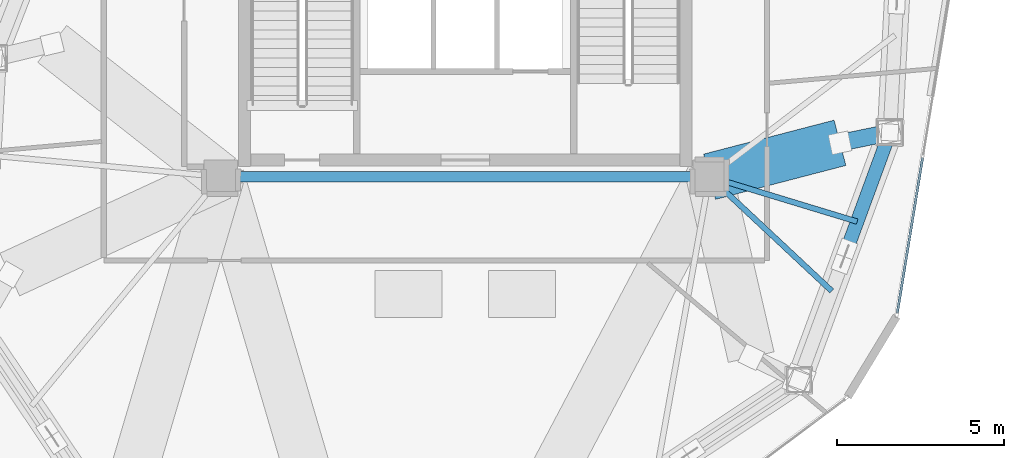
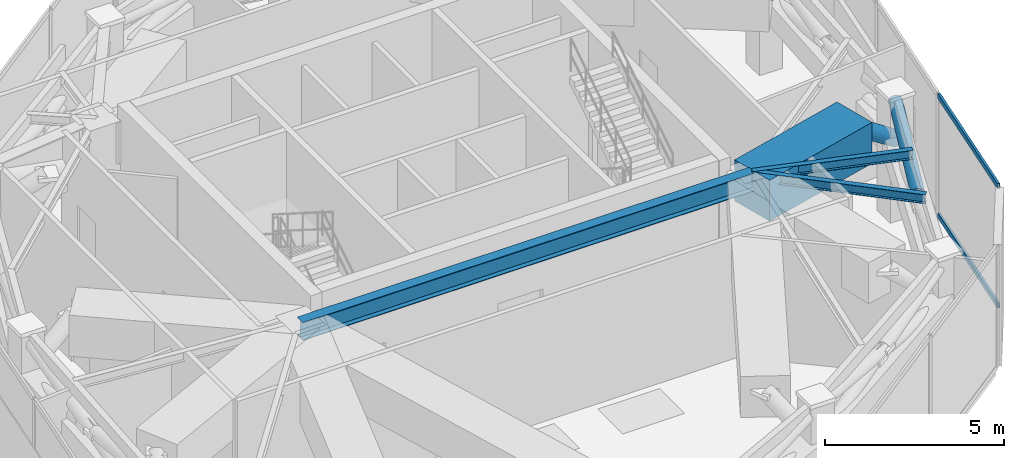
# One storey, part 8 of 19: 4 beams, 4 members, 1 element without a shape of its own.
"""IFC4 building model written with IfcOpenShell, lengths in metres."""

from ifc_helpers import new_model, si_unit, direction, frame, origin, origin_2d, place, context, subcontext, project, spatial, rectangle, hollow_rectangle, hollow_circle, i_section, extrude, source, transform, mapped, material, layer, layer_set, material_profile, profile_set, type_object, type_shapes, element, aggregate, save


model = new_model("IFC4")

# Units and contexts
model_context = context("Model", 3, precision=1e-05, world=origin(), true_north=direction((0.0, 1.0)))
body_context = subcontext(model_context, "Body", "Model", "MODEL_VIEW")
ifc_project = project(units=[si_unit("LENGTHUNIT", "METRE"), si_unit("AREAUNIT", "SQUARE_METRE"), si_unit("VOLUMEUNIT", "CUBIC_METRE"), si_unit("PLANEANGLEUNIT", "RADIAN"), si_unit("MASSUNIT", "GRAM", prefix="KILO")], contexts=[model_context])

# Site, building, storey
site_placement = place(None, origin())
site = spatial("IfcSite", under=ifc_project, at=site_placement, CompositionType="ELEMENT")
building_placement = place(site_placement, origin())
building = spatial("IfcBuilding", under=site, at=building_placement, Name="Talar Marvaseh", CompositionType="ELEMENT")
storey_placement = place(building_placement, frame((0.0, 0.0, 236.199951171875)))
storey = spatial("IfcBuildingStorey", under=building, at=storey_placement, Name="L62", CompositionType="ELEMENT", Elevation=236.199951171875)

# Beams
ifc_material_1 = material(Name="Concrete C70/85", Category="concrete")
ifc_material_profile_1 = material_profile(ifc_material_1, rectangle(XDim=1.39990234375, YDim=1.39990234375, at=origin_2d()), Name="RC1400x1400")
ifc_profile_set_1 = profile_set([ifc_material_profile_1], Name="Concrete C70/85")
beam_type_1 = type_object("IfcBeamType", Name="Setback Deep Concrete Transfer Girder RC1400x1400", PredefinedType="BEAM", material=ifc_profile_set_1)
beam_1_placement = place(storey_placement, frame((37.197021484375, 26.513916015625, 3.449951171875), z_axis=(-0.967779967746, -0.251797406719, 0.0), x_axis=(0.251797406719, -0.967779967746, 0.0)))
element("IfcBeam", 1, at=beam_1_placement, inside=storey, type_object=beam_type_1, Name="L62 Setback Backspan Transfer Girder 8", PredefinedType="BEAM", context=body_context, shape_type="SweptSolid", body=[
    extrude(rectangle(XDim=1.39990234375, YDim=1.39990234375, at=origin_2d()), origin(), (0.0, 0.0, 1.0), 4.026611328125),
])
ifc_material_2 = material(Name="Steel S355", Category="steel")
ifc_material_profile_2 = material_profile(ifc_material_2, i_section(OverallWidth=0.324951171875, OverallDepth=0.615966796875, WebThickness=0.013916015625, FlangeThickness=0.021484375, at=origin_2d()), Name="W610x174")
ifc_profile_set_2 = profile_set([ifc_material_profile_2], Name="Steel S355")
beam_type_2 = type_object("IfcBeamType", Name="Zone 3 Radial Floor Girder W610x174", PredefinedType="BEAM", material=ifc_profile_set_2)
beam_2_placement = place(storey_placement, frame((18.699951171875, 25.5, 3.842041015625), z_axis=(1.0, 0.0, 0.0), x_axis=(0.0, 1.0, 0.0)))
element("IfcBeam", 2, at=beam_2_placement, inside=storey, type_object=beam_type_2, Name="L62 Zone 3 Radial Floor Girder W610x174", PredefinedType="BEAM", context=body_context, shape_type="SweptSolid", body=[
    extrude(i_section(OverallWidth=0.324951171875, OverallDepth=0.615966796875, WebThickness=0.013916015625, FlangeThickness=0.021484375, at=origin_2d()), origin(), (0.0, 0.0, 1.0), 14.60009765625),
])
ifc_material_profile_3 = material_profile(ifc_material_2, i_section(OverallWidth=0.166015625, OverallDepth=0.31298828125, WebThickness=0.006591796875, FlangeThickness=0.01123046875, at=origin_2d()), Name="W310x45")
ifc_profile_set_3 = profile_set([ifc_material_profile_3], Name="Steel S355")
beam_type_3 = type_object("IfcBeamType", Name="Zone 3 Secondary Floor Joist W310x45", PredefinedType="JOIST", material=ifc_profile_set_3)
beam_3_placement = place(storey_placement, frame((37.71044921875, 24.15966796875, 3.99365234375), z_axis=(-0.956792465721, 0.290771693153, 0.0), x_axis=(-0.290771693153, -0.956792465721, 0.0)))
element("IfcBeam", 3, at=beam_3_placement, inside=storey, type_object=beam_type_3, Name="L62 Zone 3 Secondary Floor Joist W310x45", PredefinedType="JOIST", context=body_context, shape_type="SweptSolid", body=[
    extrude(i_section(OverallWidth=0.166015625, OverallDepth=0.31298828125, WebThickness=0.006591796875, FlangeThickness=0.01123046875, at=origin_2d()), origin(), (0.0, 0.0, 1.0), 4.609619140625),
])
beam_4_placement = place(storey_placement, frame((36.949462890625, 22.08740234375, 3.99365234375), z_axis=(-0.730408226886, 0.683010850643, 0.0), x_axis=(-0.683010850643, -0.730408226886, 0.0)))
element("IfcBeam", 4, at=beam_4_placement, inside=storey, type_object=beam_type_3, Name="L62 Zone 3 Secondary Floor Joist W310x45", PredefinedType="JOIST", context=body_context, shape_type="SweptSolid", body=[
    extrude(i_section(OverallWidth=0.166015625, OverallDepth=0.31298828125, WebThickness=0.006591796875, FlangeThickness=0.01123046875, at=origin_2d()), origin(), (0.0, 0.0, 1.0), 4.996337890625),
])

# Members
ifc_material_3 = material(Name="Steel S460", Category="steel")
ifc_material_profile_4 = material_profile(ifc_material_3, hollow_circle(Radius=0.25390625, WallThickness=0.02001953125, at=origin_2d()), Name="CHS508x20")
ifc_profile_set_4 = profile_set([ifc_material_profile_4], Name="Steel S460")
member_type_1 = type_object("IfcMemberType", Name="Crown Frame Diagonal Brace CHS508x20", PredefinedType="BRACE", material=ifc_profile_set_4)
shared_shape_1 = source(origin(), body_context, "Body", "SweptSolid", [
    extrude(hollow_circle(Radius=0.25390625, WallThickness=0.02001953125, at=origin_2d()), origin(), (0.0, 0.0, 1.0), 1.87939453125),
])
type_shapes(member_type_1, [shared_shape_1])
member_1_placement = place(storey_placement, frame((38.68896484375, 26.823974609375, 2.550048828125), z_axis=(-0.793828805763, -0.164975058635, 0.585336704102), x_axis=(0.203474381215, -0.979080270555, 0.0)))
element("IfcMember", 5, at=member_1_placement, inside=storey, type_object=member_type_1, Name="L62 Setback Transfer Raked Strut 8", PredefinedType="BRACE", context=body_context, shape_type="MappedRepresentation", body=[
    mapped(shared_shape_1, transform((0.0, 0.0, 0.0), x_axis=(1.0, 0.0, 0.0), y_axis=(0.0, 1.0, 0.0), z_axis=(0.0, 0.0, 1.0), scale=1.0)),
])
ifc_material_profile_5 = material_profile(ifc_material_3, hollow_circle(Radius=0.203125, WallThickness=0.01611328125, at=origin_2d()), Name="CHS406x16")
ifc_profile_set_5 = profile_set([ifc_material_profile_5], Name="Steel S460")
member_type_2 = type_object("IfcMemberType", Name="Belt Truss Diagonal Brace CHS406x16", PredefinedType="BRACE", material=ifc_profile_set_5)
shared_shape_2 = source(origin(), body_context, "Body", "SweptSolid", [
    extrude(hollow_circle(Radius=0.203125, WallThickness=0.01611328125, at=origin_2d()), origin(), (0.0, 0.0, 1.0), 3.75927734375),
])
type_shapes(member_type_2, [shared_shape_2])
member_2_placement = place(storey_placement, frame((37.41162109375, 23.345703125, 3.215576171875), z_axis=(0.339779207065, 0.925235925661, 0.16878558088), x_axis=(-0.938703702304, 0.344725048814, 0.0)))
element("IfcMember", 6, at=member_2_placement, inside=storey, type_object=member_type_2, Name="L62 Belt Truss Split Diagonal Upper 4", PredefinedType="BRACE", context=body_context, shape_type="MappedRepresentation", body=[
    mapped(shared_shape_2, transform((0.0, 0.0, 0.0), x_axis=(1.0, 0.0, 0.0), y_axis=(0.0, 1.0, 0.0), z_axis=(0.0, 0.0, 1.0), scale=1.0)),
])

# Curtain wall, members
ifc_material_4 = material(Name="Architectural Aluminium", Category="aluminium")
ifc_layer = layer(ifc_material_4, 0.18994140625)
ifc_layer_set = layer_set([ifc_layer], Name="Architectural Aluminium")
curtain_wall_type = type_object("IfcCurtainWallType", Name="Unitised Solar Atelier Curtain Wall Z3", PredefinedType="NOTDEFINED", material=ifc_layer_set)
curtain_wall_placement = place(storey_placement, origin())
curtain_wall = element("IfcCurtainWall", 7, at=curtain_wall_placement, inside=storey, type_object=curtain_wall_type, Name="L62 Unitised Solar Atelier Curtain Wall Z3", PredefinedType="NOTDEFINED")
ifc_material_profile_6 = material_profile(ifc_material_4, hollow_rectangle(XDim=0.074951171875, YDim=0.179931640625, WallThickness=0.0048828125, at=origin_2d()), Name="RHS180x75x5")
ifc_profile_set_6 = profile_set([ifc_material_profile_6], Name="Architectural Aluminium")
member_type_3 = type_object("IfcMemberType", Name="Unitised Curtain Wall Transom RHS180x75x5", PredefinedType="USERDEFINED", material=ifc_profile_set_6)
shared_shape_3 = source(origin(), body_context, "Body", "SweptSolid", [
    extrude(hollow_rectangle(XDim=0.074951171875, YDim=0.179931640625, WallThickness=0.0048828125, at=origin_2d()), origin(), (0.0, 0.0, 1.0), 4.70947265625),
])
type_shapes(member_type_3, [shared_shape_3])
member_3_placement = place(storey_placement, frame((39.6650390625, 26.06982421875, 0.03759765625), z_axis=(-0.160858813852, -0.986977427303, 0.0), x_axis=(0.986977427303, -0.160858813852, 0.0)))
member_3 = element("IfcMember", 8, at=member_3_placement, type_object=member_type_3, Name="CW-Z3 transom 4.1", ObjectType="TRANSOM", PredefinedType="USERDEFINED", context=body_context, shape_type="MappedRepresentation", body=[
    mapped(shared_shape_3, transform((0.0, 0.0, 0.0), x_axis=(1.0, 0.0, 0.0), y_axis=(0.0, 1.0, 0.0), z_axis=(0.0, 0.0, 1.0), scale=1.0)),
])
member_4_placement = place(storey_placement, frame((39.6650390625, 26.06982421875, 4.112548828125), z_axis=(-0.160858813852, -0.986977427303, 0.0), x_axis=(0.986977427303, -0.160858813852, 0.0)))
member_4 = element("IfcMember", 9, at=member_4_placement, type_object=member_type_3, Name="CW-Z3 transom 4.2", ObjectType="TRANSOM", PredefinedType="USERDEFINED", context=body_context, shape_type="MappedRepresentation", body=[
    mapped(shared_shape_3, transform((0.0, 0.0, 0.0), x_axis=(1.0, 0.0, 0.0), y_axis=(0.0, 1.0, 0.0), z_axis=(0.0, 0.0, 1.0), scale=1.0)),
])
aggregate(curtain_wall, [member_3, member_4])

save(model, "model.ifc")
